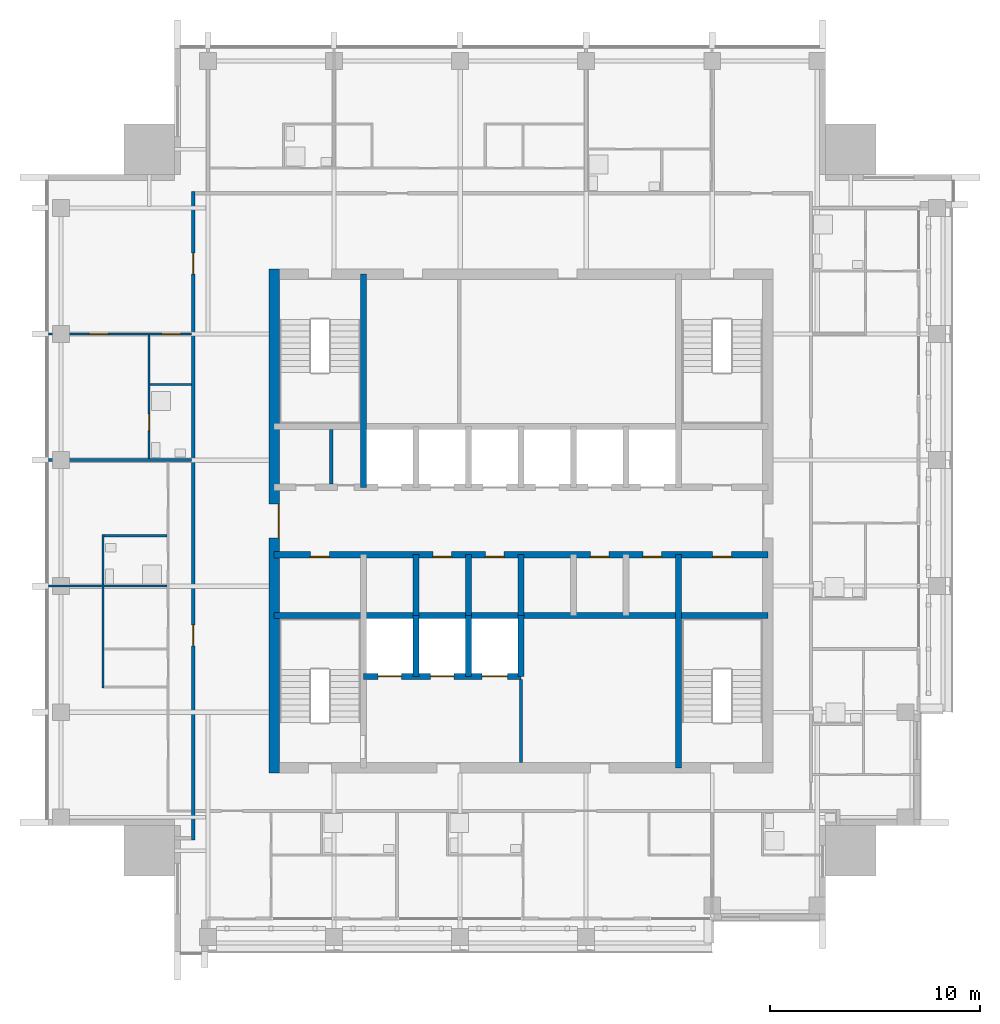
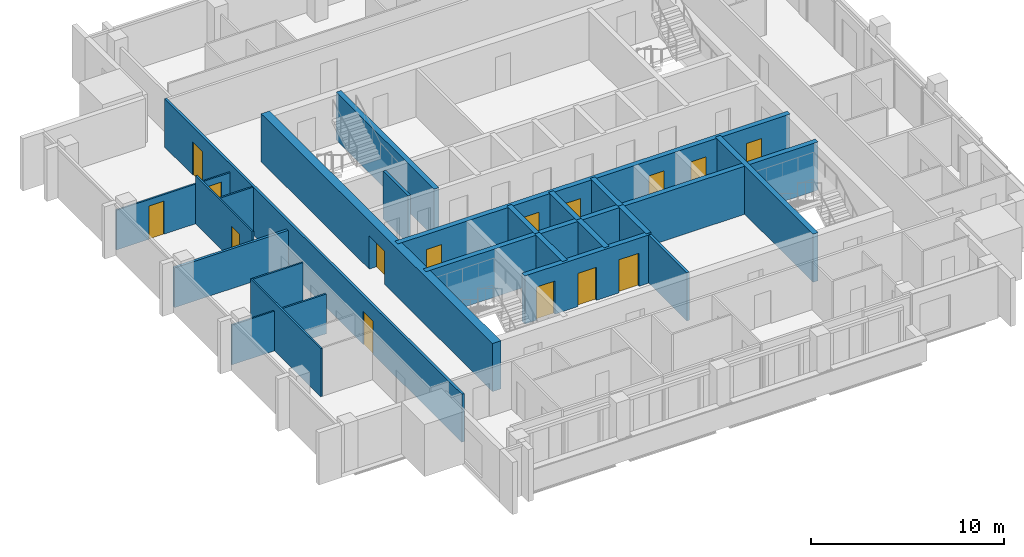
# One storey, part 8 of 15: 22 walls, 15 doors, 15 openings.
"""IFC4 building model written with IfcOpenShell, lengths in metres."""

from ifc_helpers import new_model, si_unit, direction, frame, frame_2d, origin, place, context, subcontext, project, spatial, rectangle, extrude, material, layer, layer_set, type_object, element, fill, save


model = new_model("IFC4")

# Units and contexts
model_context = context("Model", 3, precision=1e-05, world=origin(), true_north=direction((0.0, 1.0)))
body_context = subcontext(model_context, "Body", "Model", "MODEL_VIEW")
ifc_project = project(units=[si_unit("LENGTHUNIT", "METRE"), si_unit("AREAUNIT", "SQUARE_METRE"), si_unit("VOLUMEUNIT", "CUBIC_METRE"), si_unit("PLANEANGLEUNIT", "RADIAN"), si_unit("MASSUNIT", "GRAM", prefix="KILO")], contexts=[model_context])

# Site, building, storey
site_placement = place(None, origin())
site = spatial("IfcSite", under=ifc_project, at=site_placement, CompositionType="ELEMENT")
building_placement = place(site_placement, origin())
building = spatial("IfcBuilding", under=site, at=building_placement, Name="Amberfall Residences", CompositionType="ELEMENT")
storey_placement = place(building_placement, frame((0.0, 0.0, 268.60009765625)))
storey = spatial("IfcBuildingStorey", under=building, at=storey_placement, Name="L72", CompositionType="ELEMENT", Elevation=268.60009765625)

# Wall
ifc_material_1 = material(Name="Concrete C50", Category="concrete")
ifc_layer_1 = layer(ifc_material_1, 0.300048828125)
ifc_layer_set_1 = layer_set([ifc_layer_1], Name="Core wall 300 C50")
wall_type_1 = type_object("IfcWallType", Name="Core wall 300 C50", PredefinedType="SHEAR", material=ifc_layer_set_1)
wall_1_placement = place(storey_placement, frame((62.75, 41.0, 0.0), z_axis=(0.0, 0.0, 1.0), x_axis=(1.0, 0.0, 0.0)))
element("IfcWall", 1, at=wall_1_placement, inside=storey, type_object=wall_type_1, Name="Core wall RW10 L72 H75", PredefinedType="SHEAR", context=body_context, shape_type="SweptSolid", body=[
    extrude(rectangle(XDim=23.5, YDim=0.300048828125, at=frame_2d((11.75, 0.0))), origin(), (0.0, 0.0, 1.0), 3.0498046875),
])

# Wall, openings, doors
wall_2_placement = place(storey_placement, frame((62.75, 43.89990234375, 0.0), z_axis=(0.0, 0.0, 1.0), x_axis=(1.0, 0.0, 0.0)))
wall_2 = element("IfcWall", 2, at=wall_2_placement, inside=storey, type_object=wall_type_1, Name="Core wall RW10 L72 H104", PredefinedType="SHEAR", context=body_context, shape_type="SweptSolid", body=[
    extrude(rectangle(XDim=23.5, YDim=0.300048828125, at=frame_2d((11.75, 0.0))), origin(), (0.0, 0.0, 1.0), 3.0498046875),
])
opening_1_placement = place(wall_2_placement, frame((1.72509765625, 0.0, 0.0)))
opening_1 = element("IfcOpeningElement", 3, at=opening_1_placement, cuts=wall_2, Name="Opening RD1", PredefinedType="OPENING", context=body_context, shape_type="SweptSolid", body=[
    extrude(rectangle(XDim=0.89990234375, YDim=2.10009765625, at=frame_2d((0.449951171875, 1.050048828125))), frame((0.0, 0.159912109375, 0.0), z_axis=(0.0, -1.0, 0.0), x_axis=(1.0, 0.0, 0.0)), (0.0, 0.0, 1.0), 0.320068359375),
])
opening_2_placement = place(wall_2_placement, frame((20.875, 0.0, 0.0)))
opening_2 = element("IfcOpeningElement", 4, at=opening_2_placement, cuts=wall_2, Name="Opening RD1", PredefinedType="OPENING", context=body_context, shape_type="SweptSolid", body=[
    extrude(rectangle(XDim=0.89990234375, YDim=2.10009765625, at=frame_2d((0.449951171875, 1.050048828125))), frame((0.0, 0.159912109375, 0.0), z_axis=(0.0, -1.0, 0.0), x_axis=(1.0, 0.0, 0.0)), (0.0, 0.0, 1.0), 0.320068359375),
])
opening_3_placement = place(wall_2_placement, frame((7.550048828125, 0.0, 0.0)))
opening_3 = element("IfcOpeningElement", 5, at=opening_3_placement, cuts=wall_2, Name="Opening RD1", PredefinedType="OPENING", context=body_context, shape_type="SweptSolid", body=[
    extrude(rectangle(XDim=0.89990234375, YDim=2.10009765625, at=frame_2d((0.449951171875, 1.050048828125))), frame((0.0, 0.159912109375, 0.0), z_axis=(0.0, -1.0, 0.0), x_axis=(1.0, 0.0, 0.0)), (0.0, 0.0, 1.0), 0.320068359375),
])
opening_4_placement = place(wall_2_placement, frame((10.050048828125, 0.0, 0.0)))
opening_4 = element("IfcOpeningElement", 6, at=opening_4_placement, cuts=wall_2, Name="Opening RD1", PredefinedType="OPENING", context=body_context, shape_type="SweptSolid", body=[
    extrude(rectangle(XDim=0.89990234375, YDim=2.10009765625, at=frame_2d((0.449951171875, 1.050048828125))), frame((0.0, 0.159912109375, 0.0), z_axis=(0.0, -1.0, 0.0), x_axis=(1.0, 0.0, 0.0)), (0.0, 0.0, 1.0), 0.320068359375),
])
opening_5_placement = place(wall_2_placement, frame((15.050048828125, 0.0, 0.0)))
opening_5 = element("IfcOpeningElement", 7, at=opening_5_placement, cuts=wall_2, Name="Opening RD1", PredefinedType="OPENING", context=body_context, shape_type="SweptSolid", body=[
    extrude(rectangle(XDim=0.89990234375, YDim=2.10009765625, at=frame_2d((0.449951171875, 1.050048828125))), frame((0.0, 0.159912109375, 0.0), z_axis=(0.0, -1.0, 0.0), x_axis=(1.0, 0.0, 0.0)), (0.0, 0.0, 1.0), 0.320068359375),
])
opening_6_placement = place(wall_2_placement, frame((17.550048828125, 0.0, 0.0)))
opening_6 = element("IfcOpeningElement", 8, at=opening_6_placement, cuts=wall_2, Name="Opening RD1", PredefinedType="OPENING", context=body_context, shape_type="SweptSolid", body=[
    extrude(rectangle(XDim=0.89990234375, YDim=2.10009765625, at=frame_2d((0.449951171875, 1.050048828125))), frame((0.0, 0.159912109375, 0.0), z_axis=(0.0, -1.0, 0.0), x_axis=(1.0, 0.0, 0.0)), (0.0, 0.0, 1.0), 0.320068359375),
])
ifc_material_2 = material(Name="Steel fire door set", Category="steel")
door_type_1 = type_object("IfcDoorType", Name="Service room door 900 x 2100", OperationType="SINGLE_SWING_LEFT", PredefinedType="DOOR", material=ifc_material_2)
door_1_placement = place(opening_1_placement, origin())
door_1 = element("IfcDoor", 9, at=door_1_placement, inside=storey, type_object=door_type_1, Name="RD1 L72", OperationType="SINGLE_SWING_LEFT", OverallHeight=2.10009765625, OverallWidth=0.89990234375, PredefinedType="DOOR", context=body_context, shape_type="SweptSolid", body=[
    extrude(rectangle(XDim=0.89990234375, YDim=2.10009765625, at=frame_2d((0.449951171875, 1.050048828125))), frame((0.0, -0.08740234375, 0.0), z_axis=(0.0, -1.0, 0.0), x_axis=(1.0, 0.0, 0.0)), (0.0, 0.0, 1.0), 0.050048828125),
])
fill(opening_1, door_1)
door_2_placement = place(opening_2_placement, origin())
door_2 = element("IfcDoor", 10, at=door_2_placement, inside=storey, type_object=door_type_1, Name="RD1 L72", OperationType="SINGLE_SWING_LEFT", OverallHeight=2.10009765625, OverallWidth=0.89990234375, PredefinedType="DOOR", context=body_context, shape_type="SweptSolid", body=[
    extrude(rectangle(XDim=0.89990234375, YDim=2.10009765625, at=frame_2d((0.449951171875, 1.050048828125))), frame((0.0, -0.08740234375, 0.0), z_axis=(0.0, -1.0, 0.0), x_axis=(1.0, 0.0, 0.0)), (0.0, 0.0, 1.0), 0.050048828125),
])
fill(opening_2, door_2)
door_3_placement = place(opening_3_placement, origin())
door_3 = element("IfcDoor", 11, at=door_3_placement, inside=storey, type_object=door_type_1, Name="RD1 L72", OperationType="SINGLE_SWING_LEFT", OverallHeight=2.10009765625, OverallWidth=0.89990234375, PredefinedType="DOOR", context=body_context, shape_type="SweptSolid", body=[
    extrude(rectangle(XDim=0.89990234375, YDim=2.10009765625, at=frame_2d((0.449951171875, 1.050048828125))), frame((0.0, -0.08740234375, 0.0), z_axis=(0.0, -1.0, 0.0), x_axis=(1.0, 0.0, 0.0)), (0.0, 0.0, 1.0), 0.050048828125),
])
fill(opening_3, door_3)
door_4_placement = place(opening_4_placement, origin())
door_4 = element("IfcDoor", 12, at=door_4_placement, inside=storey, type_object=door_type_1, Name="RD1 L72", OperationType="SINGLE_SWING_RIGHT", OverallHeight=2.10009765625, OverallWidth=0.89990234375, PredefinedType="DOOR", context=body_context, shape_type="SweptSolid", body=[
    extrude(rectangle(XDim=0.89990234375, YDim=2.10009765625, at=frame_2d((0.449951171875, 1.050048828125))), frame((0.0, -0.08740234375, 0.0), z_axis=(0.0, -1.0, 0.0), x_axis=(1.0, 0.0, 0.0)), (0.0, 0.0, 1.0), 0.050048828125),
])
fill(opening_4, door_4)
door_5_placement = place(opening_5_placement, origin())
door_5 = element("IfcDoor", 13, at=door_5_placement, inside=storey, type_object=door_type_1, Name="RD1 L72", OperationType="SINGLE_SWING_RIGHT", OverallHeight=2.10009765625, OverallWidth=0.89990234375, PredefinedType="DOOR", context=body_context, shape_type="SweptSolid", body=[
    extrude(rectangle(XDim=0.89990234375, YDim=2.10009765625, at=frame_2d((0.449951171875, 1.050048828125))), frame((0.0, -0.08740234375, 0.0), z_axis=(0.0, -1.0, 0.0), x_axis=(1.0, 0.0, 0.0)), (0.0, 0.0, 1.0), 0.050048828125),
])
fill(opening_5, door_5)
door_6_placement = place(opening_6_placement, origin())
door_6 = element("IfcDoor", 14, at=door_6_placement, inside=storey, type_object=door_type_1, Name="RD1 L72", OperationType="SINGLE_SWING_LEFT", OverallHeight=2.10009765625, OverallWidth=0.89990234375, PredefinedType="DOOR", context=body_context, shape_type="SweptSolid", body=[
    extrude(rectangle(XDim=0.89990234375, YDim=2.10009765625, at=frame_2d((0.449951171875, 1.050048828125))), frame((0.0, -0.08740234375, 0.0), z_axis=(0.0, -1.0, 0.0), x_axis=(1.0, 0.0, 0.0)), (0.0, 0.0, 1.0), 0.050048828125),
])
fill(opening_6, door_6)

# Walls
for number, where, z_axis, x_axis, name in (
    (15, (67.0, 47.10009765625, 0.0), (0.0, 0.0, 1.0), (0.0, 1.0, 0.0), "Core wall RW10 L72 V45N"),
    (16, (82.0, 33.75, 0.0), (0.0, 0.0, 1.0), (0.0, 1.0, 0.0), "Core wall RW10 L72 V195S"),
):
    element("IfcWall", number, at=place(storey_placement, frame(where, z_axis=z_axis, x_axis=x_axis)), inside=storey, type_object=wall_type_1, Name=name, PredefinedType="SHEAR", context=body_context, shape_type="SweptSolid", body=[
        extrude(rectangle(XDim=10.14990234375, YDim=0.300048828125, at=frame_2d((5.074951171875, 0.0))), origin(), (0.0, 0.0, 1.0), 3.0498046875),
    ])
for number, where, z_axis, x_axis, name in (
    (17, (69.5, 41.0, 0.0), (0.0, 0.0, 1.0), (0.0, 1.0, 0.0), "Core wall RW10 L72 LPD1"),
    (18, (72.0, 41.0, 0.0), (0.0, 0.0, 1.0), (0.0, 1.0, 0.0), "Core wall RW10 L72 LPD2"),
    (19, (74.5, 41.0, 0.0), (0.0, 0.0, 1.0), (0.0, 1.0, 0.0), "Core wall RW10 L72 LPD3"),
):
    element("IfcWall", number, at=place(storey_placement, frame(where, z_axis=z_axis, x_axis=x_axis)), inside=storey, type_object=wall_type_1, Name=name, PredefinedType="SHEAR", context=body_context, shape_type="SweptSolid", body=[
        extrude(rectangle(XDim=2.89990234375, YDim=0.300048828125, at=frame_2d((1.449951171875, 0.0))), origin(), (0.0, 0.0, 1.0), 3.0498046875),
    ])

# Wall, openings, doors
wall_3_placement = place(storey_placement, frame((67.0, 38.10009765625, 0.0), z_axis=(0.0, 0.0, 1.0), x_axis=(1.0, 0.0, 0.0)))
wall_3 = element("IfcWall", 20, at=wall_3_placement, inside=storey, type_object=wall_type_1, Name="Core wall RW10 L72 FFF", PredefinedType="SHEAR", context=body_context, shape_type="SweptSolid", body=[
    extrude(rectangle(XDim=7.5, YDim=0.300048828125, at=frame_2d((3.75, 0.0))), origin(), (0.0, 0.0, 1.0), 3.0498046875),
])
opening_7_placement = place(wall_3_placement, frame((0.699951171875, 0.0, 0.0)))
opening_7 = element("IfcOpeningElement", 21, at=opening_7_placement, cuts=wall_3, Name="Opening LD2", PredefinedType="OPENING", context=body_context, shape_type="SweptSolid", body=[
    extrude(rectangle(XDim=1.10009765625, YDim=2.10009765625, at=frame_2d((0.550048828125, 1.050048828125))), frame((0.0, 0.159912109375, 0.0), z_axis=(0.0, -1.0, 0.0), x_axis=(1.0, 0.0, 0.0)), (0.0, 0.0, 1.0), 0.320068359375),
])
opening_8_placement = place(wall_3_placement, frame((3.199951171875, 0.0, 0.0)))
opening_8 = element("IfcOpeningElement", 22, at=opening_8_placement, cuts=wall_3, Name="Opening LD2", PredefinedType="OPENING", context=body_context, shape_type="SweptSolid", body=[
    extrude(rectangle(XDim=1.10009765625, YDim=2.10009765625, at=frame_2d((0.550048828125, 1.050048828125))), frame((0.0, 0.159912109375, 0.0), z_axis=(0.0, -1.0, 0.0), x_axis=(1.0, 0.0, 0.0)), (0.0, 0.0, 1.0), 0.320068359375),
])
opening_9_placement = place(wall_3_placement, frame((5.64990234375, 0.0, 0.0)))
opening_9 = element("IfcOpeningElement", 23, at=opening_9_placement, cuts=wall_3, Name="Opening LD3", PredefinedType="OPENING", context=body_context, shape_type="SweptSolid", body=[
    extrude(rectangle(XDim=1.199951171875, YDim=2.10009765625, at=frame_2d((0.60009765625, 1.050048828125))), frame((0.0, 0.159912109375, 0.0), z_axis=(0.0, -1.0, 0.0), x_axis=(1.0, 0.0, 0.0)), (0.0, 0.0, 1.0), 0.320068359375),
])
door_type_2 = type_object("IfcDoorType", Name="Firefighting lift landing door 1100 x 2100", OperationType="DOUBLE_DOOR_SLIDING", PredefinedType="DOOR", material=ifc_material_2)
door_7_placement = place(opening_7_placement, origin())
door_7 = element("IfcDoor", 24, at=door_7_placement, inside=storey, type_object=door_type_2, Name="Landing door FF1 L72", OperationType="DOUBLE_DOOR_SLIDING", OverallHeight=2.10009765625, OverallWidth=1.10009765625, PredefinedType="DOOR", context=body_context, shape_type="SweptSolid", body=[
    extrude(rectangle(XDim=1.10009765625, YDim=2.10009765625, at=frame_2d((0.550048828125, 1.050048828125))), frame((0.0, 0.02490234375, 0.0), z_axis=(0.0, -1.0, 0.0), x_axis=(1.0, 0.0, 0.0)), (0.0, 0.0, 1.0), 0.050048828125),
])
fill(opening_7, door_7)
door_8_placement = place(opening_8_placement, origin())
door_8 = element("IfcDoor", 25, at=door_8_placement, inside=storey, type_object=door_type_2, Name="Landing door FF2 L72", OperationType="DOUBLE_DOOR_SLIDING", OverallHeight=2.10009765625, OverallWidth=1.10009765625, PredefinedType="DOOR", context=body_context, shape_type="SweptSolid", body=[
    extrude(rectangle(XDim=1.10009765625, YDim=2.10009765625, at=frame_2d((0.550048828125, 1.050048828125))), frame((0.0, 0.02490234375, 0.0), z_axis=(0.0, -1.0, 0.0), x_axis=(1.0, 0.0, 0.0)), (0.0, 0.0, 1.0), 0.050048828125),
])
fill(opening_8, door_8)
door_type_3 = type_object("IfcDoorType", Name="Service lift landing door 1200 x 2100", OperationType="DOUBLE_DOOR_SLIDING", PredefinedType="DOOR", material=ifc_material_2)
door_9_placement = place(opening_9_placement, origin())
door_9 = element("IfcDoor", 26, at=door_9_placement, inside=storey, type_object=door_type_3, Name="Landing door SL1 L72", OperationType="DOUBLE_DOOR_SLIDING", OverallHeight=2.10009765625, OverallWidth=1.199951171875, PredefinedType="DOOR", context=body_context, shape_type="SweptSolid", body=[
    extrude(rectangle(XDim=1.199951171875, YDim=2.10009765625, at=frame_2d((0.60009765625, 1.050048828125))), frame((0.0, 0.02490234375, 0.0), z_axis=(0.0, -1.0, 0.0), x_axis=(1.0, 0.0, 0.0)), (0.0, 0.0, 1.0), 0.050048828125),
])
fill(opening_9, door_9)

# Walls
for number, where, z_axis, x_axis, name in (
    (27, (69.5, 38.10009765625, 0.0), (0.0, 0.0, 1.0), (0.0, 1.0, 0.0), "Core wall RW10 L72 FFD1"),
    (28, (72.0, 38.10009765625, 0.0), (0.0, 0.0, 1.0), (0.0, 1.0, 0.0), "Core wall RW10 L72 FFD2"),
    (29, (74.5, 38.10009765625, 0.0), (0.0, 0.0, 1.0), (0.0, 1.0, 0.0), "Core wall RW10 L72 FFD3"),
):
    element("IfcWall", number, at=place(storey_placement, frame(where, z_axis=z_axis, x_axis=x_axis)), inside=storey, type_object=wall_type_1, Name=name, PredefinedType="SHEAR", context=body_context, shape_type="SweptSolid", body=[
        extrude(rectangle(XDim=2.89990234375, YDim=0.300048828125, at=frame_2d((1.449951171875, 0.0))), origin(), (0.0, 0.0, 1.0), 3.0498046875),
    ])

# Wall, opening, door
ifc_layer_2 = layer(ifc_material_1, 0.5)
ifc_layer_set_2 = layer_set([ifc_layer_2], Name="Core wall 500 C50")
wall_type_2 = type_object("IfcWallType", Name="Core wall 500 C50", PredefinedType="SHEAR", material=ifc_layer_set_2)
wall_4_placement = place(storey_placement, frame((62.75, 33.5, 0.0), z_axis=(0.0, 0.0, 1.0), x_axis=(0.0, 1.0, 0.0)))
wall_4 = element("IfcWall", 30, at=wall_4_placement, inside=storey, type_object=wall_type_2, Name="Core wall RW9 L72 OW", PredefinedType="SHEAR", context=body_context, shape_type="SweptSolid", body=[
    extrude(rectangle(XDim=24.0, YDim=0.5, at=frame_2d((12.0, 0.0))), origin(), (0.0, 0.0, 1.0), 3.0498046875),
])
opening_10_placement = place(wall_4_placement, frame((11.199951171875, 0.0, 0.0)))
opening_10 = element("IfcOpeningElement", 31, at=opening_10_placement, cuts=wall_4, Name="Opening LB1", PredefinedType="OPENING", context=body_context, shape_type="SweptSolid", body=[
    extrude(rectangle(XDim=1.60009765625, YDim=2.10009765625, at=frame_2d((0.800048828125, 1.050048828125))), frame((0.0, 0.260009765625, 0.0), z_axis=(0.0, -1.0, 0.0), x_axis=(1.0, 0.0, 0.0)), (0.0, 0.0, 1.0), 0.52001953125),
])
door_type_4 = type_object("IfcDoorType", Name="Lift lobby double door 1600 x 2100", OperationType="DOUBLE_DOOR_SINGLE_SWING", PredefinedType="DOOR", material=ifc_material_2)
door_10_placement = place(opening_10_placement, origin())
door_10 = element("IfcDoor", 32, at=door_10_placement, inside=storey, type_object=door_type_4, Name="LB1 L72", OperationType="DOUBLE_DOOR_SINGLE_SWING", OverallHeight=2.10009765625, OverallWidth=1.60009765625, PredefinedType="DOOR", context=body_context, shape_type="SweptSolid", body=[
    extrude(rectangle(XDim=1.60009765625, YDim=2.10009765625, at=frame_2d((0.800048828125, 1.050048828125))), frame((0.0, -0.1875, 0.0), z_axis=(0.0, -1.0, 0.0), x_axis=(1.0, 0.0, 0.0)), (0.0, 0.0, 1.0), 0.050048828125),
])
fill(opening_10, door_10)

# Wall
ifc_material_3 = material(Name="Gypsum board on metal stud")
ifc_layer_3 = layer(ifc_material_3, 0.10009765625)
ifc_layer_set_3 = layer_set([ifc_layer_3], Name="Flat partition 100")
wall_type_3 = type_object("IfcWallType", Name="Flat partition 100", PredefinedType="PARTITIONING", material=ifc_layer_set_3)
wall_5_placement = place(storey_placement, frame((54.60009765625, 37.550048828125, 0.0), z_axis=(0.0, 0.0, 1.0), x_axis=(0.0, 1.0, 0.0)))
element("IfcWall", 33, at=wall_5_placement, inside=storey, type_object=wall_type_3, Name="Partition 001", PredefinedType="PARTITIONING", context=body_context, shape_type="SweptSolid", body=[
    extrude(rectangle(XDim=7.300048828125, YDim=0.10009765625, at=frame_2d((3.64990234375, 0.0))), origin(), (0.0, 0.0, 1.0), 3.0498046875),
])

# Wall, opening, door
wall_6_placement = place(storey_placement, frame((56.800048828125, 54.35009765625, 0.0), z_axis=(0.0, 0.0, 1.0), x_axis=(0.0, -1.0, 0.0)))
wall_6 = element("IfcWall", 34, at=wall_6_placement, inside=storey, type_object=wall_type_3, Name="Partition 002", PredefinedType="PARTITIONING", context=body_context, shape_type="SweptSolid", body=[
    extrude(rectangle(XDim=5.875, YDim=0.10009765625, at=frame_2d((2.9375, 0.0))), origin(), (0.0, 0.0, 1.0), 3.0498046875),
])
opening_11_placement = place(wall_6_placement, frame((3.75, 0.0, 0.0)))
opening_11 = element("IfcOpeningElement", 35, at=opening_11_placement, cuts=wall_6, Name="Opening D42", PredefinedType="OPENING", context=body_context, shape_type="SweptSolid", body=[
    extrude(rectangle(XDim=0.800048828125, YDim=2.10009765625, at=frame_2d((0.39990234375, 1.050048828125))), frame((0.0, 0.06005859375, 0.0), z_axis=(0.0, -1.0, 0.0), x_axis=(1.0, 0.0, 0.0)), (0.0, 0.0, 1.0), 0.1201171875),
])
ifc_material_4 = material(Name="Timber", Category="wood")
door_type_5 = type_object("IfcDoorType", Name="Bathroom door 800 x 2100", OperationType="SINGLE_SWING_LEFT", PredefinedType="DOOR", material=ifc_material_4)
door_11_placement = place(opening_11_placement, origin())
door_11 = element("IfcDoor", 36, at=door_11_placement, inside=storey, type_object=door_type_5, Name="Door 7208 bath1", OperationType="SINGLE_SWING_LEFT", OverallHeight=2.10009765625, OverallWidth=0.800048828125, PredefinedType="DOOR", context=body_context, shape_type="SweptSolid", body=[
    extrude(rectangle(XDim=0.800048828125, YDim=2.10009765625, at=frame_2d((0.39990234375, 1.050048828125))), frame((0.0, 0.02490234375, 0.0), z_axis=(0.0, -1.0, 0.0), x_axis=(1.0, 0.0, 0.0)), (0.0, 0.0, 1.0), 0.050048828125),
])
fill(opening_11, door_11)

# Wall, openings, doors
wall_7_placement = place(storey_placement, frame((58.824951171875, 54.39990234375, 0.0), z_axis=(0.0, 0.0, 1.0), x_axis=(-1.0, 0.0, 0.0)))
wall_7 = element("IfcWall", 37, at=wall_7_placement, inside=storey, type_object=wall_type_3, Name="Partition 026", PredefinedType="PARTITIONING", context=body_context, shape_type="SweptSolid", body=[
    extrude(rectangle(XDim=6.824951171875, YDim=0.10009765625, at=frame_2d((3.41259765625, 0.0))), origin(), (0.0, 0.0, 1.0), 2.515869140625),
])
opening_12_placement = place(wall_7_placement, frame((0.52490234375, 0.0, 0.0)))
opening_12 = element("IfcOpeningElement", 38, at=opening_12_placement, cuts=wall_7, Name="Opening D41", PredefinedType="OPENING", context=body_context, shape_type="SweptSolid", body=[
    extrude(rectangle(XDim=0.89990234375, YDim=2.10009765625, at=frame_2d((0.449951171875, 1.050048828125))), frame((0.0, 0.06005859375, 0.0), z_axis=(0.0, -1.0, 0.0), x_axis=(1.0, 0.0, 0.0)), (0.0, 0.0, 1.0), 0.1201171875),
])
opening_13_placement = place(wall_7_placement, frame((3.97509765625, 0.0, 0.0)))
opening_13 = element("IfcOpeningElement", 39, at=opening_13_placement, cuts=wall_7, Name="Opening D41", PredefinedType="OPENING", context=body_context, shape_type="SweptSolid", body=[
    extrude(rectangle(XDim=0.89990234375, YDim=2.10009765625, at=frame_2d((0.449951171875, 1.050048828125))), frame((0.0, 0.06005859375, 0.0), z_axis=(0.0, -1.0, 0.0), x_axis=(1.0, 0.0, 0.0)), (0.0, 0.0, 1.0), 0.1201171875),
])
door_type_6 = type_object("IfcDoorType", Name="Internal door 900 x 2100", OperationType="SINGLE_SWING_LEFT", PredefinedType="DOOR", material=ifc_material_4)
door_12_placement = place(opening_12_placement, origin())
door_12 = element("IfcDoor", 40, at=door_12_placement, inside=storey, type_object=door_type_6, Name="Door 7208 kitchen", OperationType="SINGLE_SWING_LEFT", OverallHeight=2.10009765625, OverallWidth=0.89990234375, PredefinedType="DOOR", context=body_context, shape_type="SweptSolid", body=[
    extrude(rectangle(XDim=0.89990234375, YDim=2.10009765625, at=frame_2d((0.449951171875, 1.050048828125))), frame((0.0, 0.02490234375, 0.0), z_axis=(0.0, -1.0, 0.0), x_axis=(1.0, 0.0, 0.0)), (0.0, 0.0, 1.0), 0.050048828125),
])
fill(opening_12, door_12)
door_13_placement = place(opening_13_placement, origin())
door_13 = element("IfcDoor", 41, at=door_13_placement, inside=storey, type_object=door_type_6, Name="Door 7208 bedroom1", OperationType="SINGLE_SWING_LEFT", OverallHeight=2.10009765625, OverallWidth=0.89990234375, PredefinedType="DOOR", context=body_context, shape_type="SweptSolid", body=[
    extrude(rectangle(XDim=0.89990234375, YDim=2.10009765625, at=frame_2d((0.449951171875, 1.050048828125))), frame((0.0, 0.02490234375, 0.0), z_axis=(0.0, -1.0, 0.0), x_axis=(1.0, 0.0, 0.0)), (0.0, 0.0, 1.0), 0.050048828125),
])
fill(opening_13, door_13)

# Walls
wall_8_placement = place(storey_placement, frame((56.85009765625, 52.0, 0.0), z_axis=(0.0, 0.0, 1.0), x_axis=(1.0, 0.0, 0.0)))
element("IfcWall", 42, at=wall_8_placement, inside=storey, type_object=wall_type_3, Name="Partition 028", PredefinedType="PARTITIONING", context=body_context, shape_type="SweptSolid", body=[
    extrude(rectangle(XDim=1.974853515625, YDim=0.10009765625, at=frame_2d((0.9873046875, 0.0))), origin(), (0.0, 0.0, 1.0), 3.0498046875),
])
wall_9_placement = place(storey_placement, frame((54.64990234375, 44.800048828125, 0.0), z_axis=(0.0, 0.0, 1.0), x_axis=(1.0, 0.0, 0.0)))
element("IfcWall", 43, at=wall_9_placement, inside=storey, type_object=wall_type_3, Name="Partition 030", PredefinedType="PARTITIONING", context=body_context, shape_type="SweptSolid", body=[
    extrude(rectangle(XDim=3.0, YDim=0.10009765625, at=frame_2d((1.5, 0.0))), origin(), (0.0, 0.0, 1.0), 3.0498046875),
])
wall_10_placement = place(storey_placement, frame((52.0, 42.39990234375, 0.0), z_axis=(0.0, 0.0, 1.0), x_axis=(1.0, 0.0, 0.0)))
element("IfcWall", 44, at=wall_10_placement, inside=storey, type_object=wall_type_3, Name="Partition 031", PredefinedType="PARTITIONING", context=body_context, shape_type="SweptSolid", body=[
    extrude(rectangle(XDim=5.64990234375, YDim=0.10009765625, at=frame_2d((2.824951171875, 0.0))), origin(), (0.0, 0.0, 1.0), 2.515869140625),
])

# Wall, openings, doors
ifc_material_5 = material(Name="Blockwork, plastered", Category="masonry")
ifc_layer_4 = layer(ifc_material_5, 0.14990234375)
ifc_layer_set_4 = layer_set([ifc_layer_4], Name="Flat separating wall 150")
wall_type_4 = type_object("IfcWallType", Name="Flat separating wall 150", PredefinedType="PARTITIONING", material=ifc_layer_set_4)
wall_11_placement = place(storey_placement, frame((58.89990234375, 30.324951171875, 0.0), z_axis=(0.0, 0.0, 1.0), x_axis=(0.0, 1.0, 0.0)))
wall_11 = element("IfcWall", 45, at=wall_11_placement, inside=storey, type_object=wall_type_4, Name="Separating wall 042", PredefinedType="PARTITIONING", context=body_context, shape_type="SweptSolid", body=[
    extrude(rectangle(XDim=30.85009765625, YDim=0.14990234375, at=frame_2d((15.425048828125, 0.0))), origin(), (0.0, 0.0, 1.0), 3.0498046875),
])
opening_14_placement = place(wall_11_placement, frame((9.22509765625, 0.0, 0.0)))
opening_14 = element("IfcOpeningElement", 46, at=opening_14_placement, cuts=wall_11, Name="Opening D40", PredefinedType="OPENING", context=body_context, shape_type="SweptSolid", body=[
    extrude(rectangle(XDim=1.0, YDim=2.10009765625, at=frame_2d((0.5, 1.050048828125))), frame((0.0, 0.0849609375, 0.0), z_axis=(0.0, -1.0, 0.0), x_axis=(1.0, 0.0, 0.0)), (0.0, 0.0, 1.0), 0.169921875),
])
opening_15_placement = place(wall_11_placement, frame((26.925048828125, 0.0, 0.0)))
opening_15 = element("IfcOpeningElement", 47, at=opening_15_placement, cuts=wall_11, Name="Opening D40", PredefinedType="OPENING", context=body_context, shape_type="SweptSolid", body=[
    extrude(rectangle(XDim=1.0, YDim=2.10009765625, at=frame_2d((0.5, 1.050048828125))), frame((0.0, 0.0849609375, 0.0), z_axis=(0.0, -1.0, 0.0), x_axis=(1.0, 0.0, 0.0)), (0.0, 0.0, 1.0), 0.169921875),
])
ifc_material_6 = material(Name="Timber, fire-rated", Category="wood")
door_type_7 = type_object("IfcDoorType", Name="Flat entrance door FD60 1000 x 2100", OperationType="SINGLE_SWING_LEFT", PredefinedType="DOOR", material=ifc_material_6)
door_14_placement = place(opening_14_placement, origin())
door_14 = element("IfcDoor", 48, at=door_14_placement, inside=storey, type_object=door_type_7, Name="Door 7207 entrance", OperationType="SINGLE_SWING_LEFT", OverallHeight=2.10009765625, OverallWidth=1.0, PredefinedType="DOOR", context=body_context, shape_type="SweptSolid", body=[
    extrude(rectangle(XDim=1.0, YDim=2.10009765625, at=frame_2d((0.5, 1.050048828125))), frame((0.0, 0.02490234375, 0.0), z_axis=(0.0, -1.0, 0.0), x_axis=(1.0, 0.0, 0.0)), (0.0, 0.0, 1.0), 0.050048828125),
])
fill(opening_14, door_14)
door_15_placement = place(opening_15_placement, origin())
door_15 = element("IfcDoor", 49, at=door_15_placement, inside=storey, type_object=door_type_7, Name="Door 7208 entrance", OperationType="SINGLE_SWING_LEFT", OverallHeight=2.10009765625, OverallWidth=1.0, PredefinedType="DOOR", context=body_context, shape_type="SweptSolid", body=[
    extrude(rectangle(XDim=1.0, YDim=2.10009765625, at=frame_2d((0.5, 1.050048828125))), frame((0.0, 0.02490234375, 0.0), z_axis=(0.0, -1.0, 0.0), x_axis=(1.0, 0.0, 0.0)), (0.0, 0.0, 1.0), 0.050048828125),
])
fill(opening_15, door_15)

# Walls
wall_12_placement = place(storey_placement, frame((52.0, 48.39990234375, 0.0), z_axis=(0.0, 0.0, 1.0), x_axis=(1.0, 0.0, 0.0)))
element("IfcWall", 50, at=wall_12_placement, inside=storey, type_object=wall_type_4, Name="Separating wall 050", PredefinedType="PARTITIONING", context=body_context, shape_type="SweptSolid", body=[
    extrude(rectangle(XDim=6.824951171875, YDim=0.14990234375, at=frame_2d((3.41259765625, 0.0))), origin(), (0.0, 0.0, 1.0), 2.515869140625),
])
ifc_material_7 = material(Name="Concrete blockwork", Category="masonry")
ifc_layer_5 = layer(ifc_material_7, 0.14990234375)
ifc_layer_set_5 = layer_set([ifc_layer_5], Name="Riser wall 150")
wall_type_5 = type_object("IfcWallType", Name="Riser wall 150", PredefinedType="PLUMBINGWALL", material=ifc_layer_set_5)
wall_13_placement = place(storey_placement, frame((74.5, 34.0, 0.0), z_axis=(0.0, 0.0, 1.0), x_axis=(0.0, 1.0, 0.0)))
element("IfcWall", 51, at=wall_13_placement, inside=storey, type_object=wall_type_5, Name="L72 core wall PX", PredefinedType="PLUMBINGWALL", context=body_context, shape_type="SweptSolid", body=[
    extrude(rectangle(XDim=3.949951171875, YDim=0.14990234375, at=frame_2d((1.97509765625, 0.0))), origin(), (0.0, 0.0, 1.0), 3.0498046875),
])
wall_14_placement = place(storey_placement, frame((65.464111328125, 47.25, 0.0), z_axis=(0.0, 0.0, 1.0), x_axis=(0.0, 1.0, 0.0)))
element("IfcWall", 52, at=wall_14_placement, inside=storey, type_object=wall_type_5, Name="L72 core wall ANW0", PredefinedType="PLUMBINGWALL", context=body_context, shape_type="SweptSolid", body=[
    extrude(rectangle(XDim=2.60009765625, YDim=0.14990234375, at=frame_2d((1.300048828125, 0.0))), origin(), (0.0, 0.0, 1.0), 3.0498046875),
])

save(model, "model.ifc")
